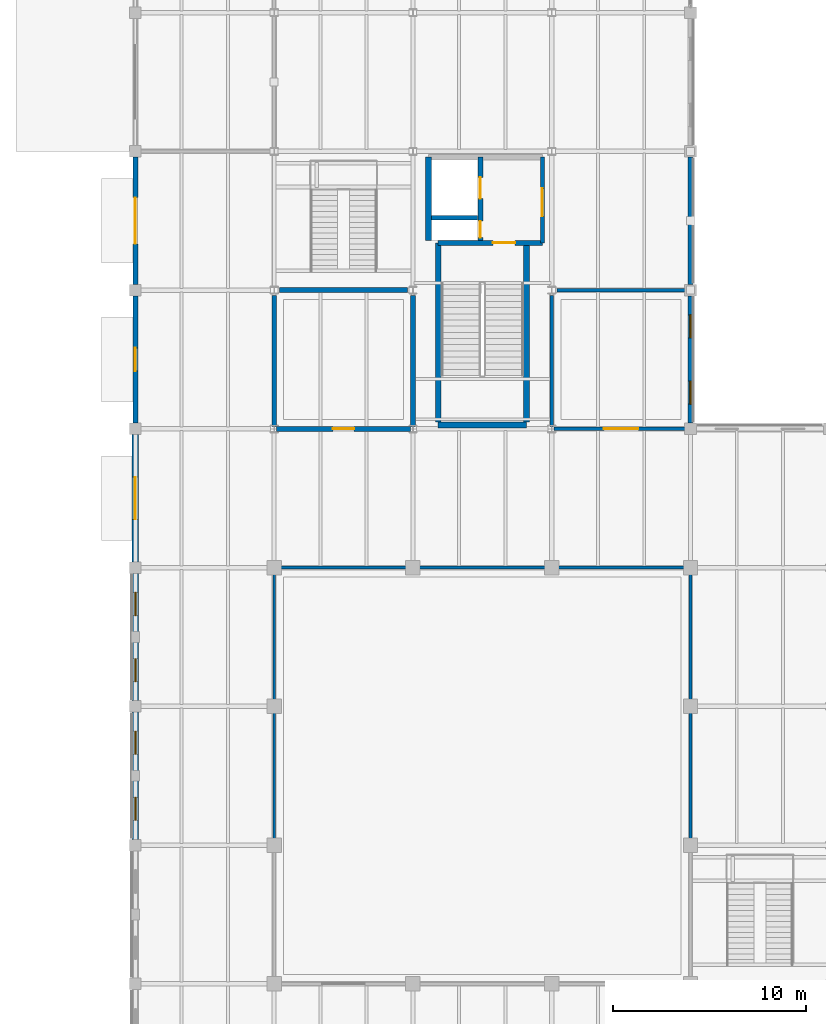
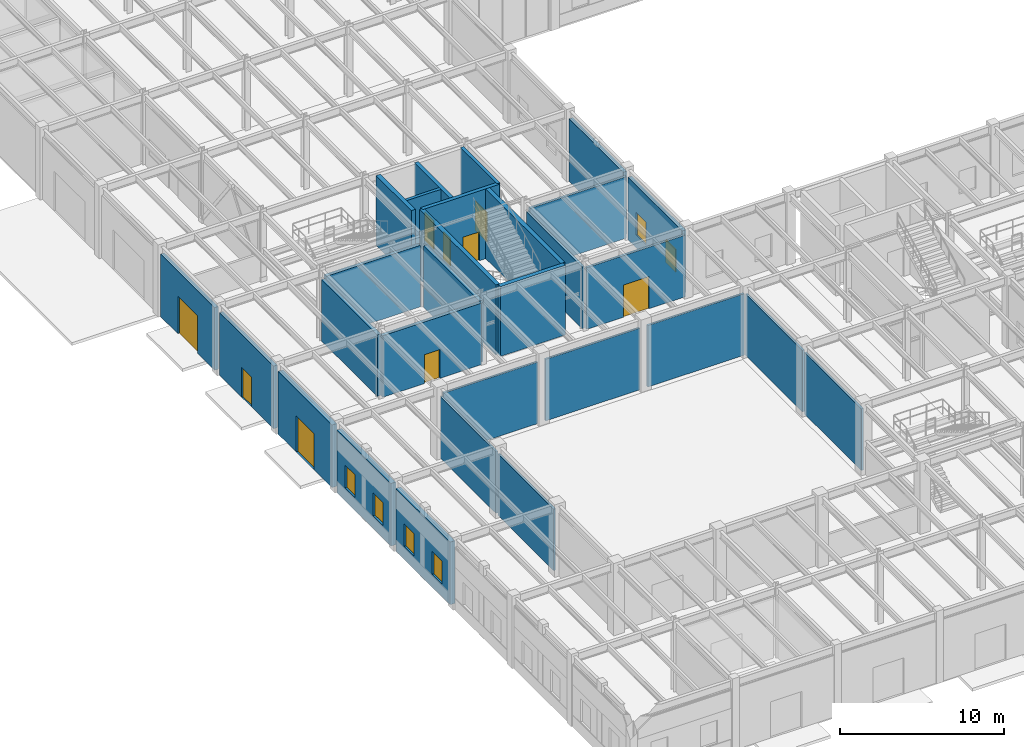
# One storey, part 34 of 97: 29 walls, 9 doors, 6 windows, 15 openings.
"""IFC4 building model written with IfcOpenShell, lengths in metres."""

from ifc_helpers import new_model, si_unit, direction, frame, frame_2d, origin, place, context, subcontext, project, spatial, rectangle, extrude, material, layer, layer_set, type_object, element, fill, save


model = new_model("IFC4")

# Units and contexts
model_context = context("Model", 3, precision=1e-05, world=origin(), true_north=direction((0.0, 1.0)))
body_context = subcontext(model_context, "Body", "Model", "MODEL_VIEW")
ifc_project = project(units=[si_unit("LENGTHUNIT", "METRE"), si_unit("AREAUNIT", "SQUARE_METRE"), si_unit("VOLUMEUNIT", "CUBIC_METRE"), si_unit("PLANEANGLEUNIT", "RADIAN"), si_unit("MASSUNIT", "GRAM", prefix="KILO")], contexts=[model_context])

# Site, building, storey
site_placement = place(None, origin())
site = spatial("IfcSite", under=ifc_project, at=site_placement, CompositionType="ELEMENT")
building_placement = place(site_placement, origin())
building = spatial("IfcBuilding", under=site, at=building_placement, Name="Sillqori Civic Hall", CompositionType="ELEMENT")
storey_placement = place(building_placement, origin())
storey = spatial("IfcBuildingStorey", under=building, at=storey_placement, Name="L01", CompositionType="ELEMENT", Elevation=0.0)

# Wall
ifc_material_1 = material(Name="Concrete C35/45 (H35)", Category="concrete")
ifc_layer_1 = layer(ifc_material_1, 0.219970703125)
ifc_layer_set_1 = layer_set([ifc_layer_1], Name="Concrete C35/45 (H35)")
wall_type_1 = type_object("IfcWallType", Name="CW-SHR-220", PredefinedType="SHEAR", material=ifc_layer_set_1)
wall_1_placement = place(storey_placement, frame((22.550048828125, 61.35009765625, 0.0), z_axis=(0.0, 0.0, 1.0), x_axis=(1.0, 0.0, 0.0)))
element("IfcWall", 1, at=wall_1_placement, inside=storey, type_object=wall_type_1, Name="L01 C4 Lift-riser divider wall", PredefinedType="SHEAR", context=body_context, shape_type="SweptSolid", body=[
    extrude(rectangle(XDim=2.39990234375, YDim=0.219970703125, at=frame_2d((1.199951171875, 0.0))), origin(), (0.0, 0.0, 1.0), 5.199951171875),
])

# Wall, opening, door
wall_2_placement = place(storey_placement, frame((28.320068359375, 64.5, 0.0), z_axis=(0.0, 0.0, 1.0), x_axis=(0.0, -1.0, 0.0)))
wall_2 = element("IfcWall", 2, at=wall_2_placement, inside=storey, type_object=wall_type_1, Name="L01 C4 firefighting lobby enclosure wall", PredefinedType="SHEAR", context=body_context, shape_type="SweptSolid", body=[
    extrude(rectangle(XDim=4.449951171875, YDim=0.219970703125, at=frame_2d((2.22509765625, 0.0))), origin(), (0.0, 0.0, 1.0), 5.199951171875),
])
opening_1_placement = place(wall_2_placement, frame((1.625, 0.0, 0.0)))
opening_1 = element("IfcOpeningElement", 3, at=opening_1_placement, cuts=wall_2, Name="Opening FD-03", PredefinedType="OPENING", context=body_context, shape_type="SweptSolid", body=[
    extrude(rectangle(XDim=1.449951171875, YDim=2.199951171875, at=frame_2d((0.72509765625, 1.10009765625))), frame((0.0, 0.119873046875, 0.0), z_axis=(0.0, -1.0, 0.0), x_axis=(1.0, 0.0, 0.0)), (0.0, 0.0, 1.0), 0.239990234375),
])
ifc_material_2 = material(Name="Double-Leaf Smoke-Seal Lobby Door", Category="steel")
door_type_1 = type_object("IfcDoorType", Name="FDR-LOB-145X220", OperationType="NOTDEFINED", PredefinedType="DOOR", material=ifc_material_2)
door_1_placement = place(opening_1_placement, origin())
door_1 = element("IfcDoor", 4, at=door_1_placement, inside=storey, type_object=door_type_1, Name="L01 C4 firefighting lobby exit door", OperationType="DOUBLE_DOOR_SINGLE_SWING", OverallHeight=2.199951171875, OverallWidth=1.449951171875, PredefinedType="DOOR", context=body_context, shape_type="SweptSolid", body=[
    extrude(rectangle(XDim=1.449951171875, YDim=2.199951171875, at=frame_2d((0.72509765625, 1.10009765625))), frame((0.0, 0.02490234375, 0.0), z_axis=(0.0, -1.0, 0.0), x_axis=(1.0, 0.0, 0.0)), (0.0, 0.0, 1.0), 0.050048828125),
])
fill(opening_1, door_1)

ifc_layer_2 = layer(ifc_material_1, 0.260009765625)
ifc_layer_set_2 = layer_set([ifc_layer_2], Name="Concrete C35/45 (H35)")
wall_type_2 = type_object("IfcWallType", Name="CW-SHR-260", PredefinedType="SHEAR", material=ifc_layer_set_2)
wall_3_placement = place(storey_placement, frame((22.909912109375, 60.050048828125, 0.0), z_axis=(0.0, 0.0, 1.0), x_axis=(1.0, 0.0, 0.0)))
wall_3 = element("IfcWall", 5, at=wall_3_placement, inside=storey, type_object=wall_type_2, Name="L01 C4 Stair-lobby fire wall", PredefinedType="SHEAR", context=body_context, shape_type="SweptSolid", body=[
    extrude(rectangle(XDim=5.41015625, YDim=0.260009765625, at=frame_2d((2.705078125, 0.0))), origin(), (0.0, 0.0, 1.0), 5.199951171875),
])
opening_2_placement = place(wall_3_placement, frame((2.840087890625, 0.0, 0.0)))
opening_2 = element("IfcOpeningElement", 6, at=opening_2_placement, cuts=wall_3, Name="Opening FD-01", PredefinedType="OPENING", context=body_context, shape_type="SweptSolid", body=[
    extrude(rectangle(XDim=1.14990234375, YDim=2.14990234375, at=frame_2d((0.574951171875, 1.074951171875))), frame((0.0, 0.139892578125, 0.0), z_axis=(0.0, -1.0, 0.0), x_axis=(1.0, 0.0, 0.0)), (0.0, 0.0, 1.0), 0.280029296875),
])
ifc_material_3 = material(Name="Galvanized Steel Fire Door FD90S", Category="steel")
door_type_2 = type_object("IfcDoorType", Name="FDR-STR-115X215", OperationType="NOTDEFINED", PredefinedType="DOOR", material=ifc_material_3)
door_2_placement = place(opening_2_placement, origin())
door_2 = element("IfcDoor", 7, at=door_2_placement, inside=storey, type_object=door_type_2, Name="L01 stair ST-04 fire door", OperationType="SINGLE_SWING_RIGHT", OverallHeight=2.14990234375, OverallWidth=1.14990234375, PredefinedType="DOOR", context=body_context, shape_type="SweptSolid", body=[
    extrude(rectangle(XDim=1.14990234375, YDim=2.14990234375, at=frame_2d((0.574951171875, 1.074951171875))), frame((0.0, 0.02490234375, 0.0), z_axis=(0.0, -1.0, 0.0), x_axis=(1.0, 0.0, 0.0)), (0.0, 0.0, 1.0), 0.050048828125),
])
fill(opening_2, door_2)

# Wall, openings, doors
wall_4_placement = place(storey_placement, frame((25.10009765625, 64.5, 0.0), z_axis=(0.0, 0.0, 1.0), x_axis=(0.0, -1.0, 0.0)))
wall_4 = element("IfcWall", 8, at=wall_4_placement, inside=storey, type_object=wall_type_2, Name="L01 C4 Lift landing & riser front wall", PredefinedType="SHEAR", context=body_context, shape_type="SweptSolid", body=[
    extrude(rectangle(XDim=4.320068359375, YDim=0.260009765625, at=frame_2d((2.16015625, 0.0))), origin(), (0.0, 0.0, 1.0), 5.199951171875),
])
opening_3_placement = place(wall_4_placement, frame((1.050048828125, 0.0, 0.0)))
opening_3 = element("IfcOpeningElement", 9, at=opening_3_placement, cuts=wall_4, Name="Opening LD-01", PredefinedType="OPENING", context=body_context, shape_type="SweptSolid", body=[
    extrude(rectangle(XDim=1.10009765625, YDim=2.14990234375, at=frame_2d((0.550048828125, 1.074951171875))), frame((0.0, 0.139892578125, 0.0), z_axis=(0.0, -1.0, 0.0), x_axis=(1.0, 0.0, 0.0)), (0.0, 0.0, 1.0), 0.280029296875),
])
opening_4_placement = place(wall_4_placement, frame((3.324951171875, 0.0, 0.0)))
opening_4 = element("IfcOpeningElement", 10, at=opening_4_placement, cuts=wall_4, Name="Opening FD-05", PredefinedType="OPENING", context=body_context, shape_type="SweptSolid", body=[
    extrude(rectangle(XDim=0.85009765625, YDim=2.050048828125, at=frame_2d((0.425048828125, 1.02490234375))), frame((0.0, 0.139892578125, 0.0), z_axis=(0.0, -1.0, 0.0), x_axis=(1.0, 0.0, 0.0)), (0.0, 0.0, 1.0), 0.280029296875),
])
ifc_material_4 = material(Name="Steel Riser Access Fire Door", Category="steel")
door_type_3 = type_object("IfcDoorType", Name="FDR-RSR-085X205", OperationType="NOTDEFINED", PredefinedType="DOOR", material=ifc_material_4)
door_3_placement = place(opening_4_placement, origin())
door_3 = element("IfcDoor", 11, at=door_3_placement, inside=storey, type_object=door_type_3, Name="L01 MEP riser C4 fire access door", OperationType="SINGLE_SWING_LEFT", OverallHeight=2.050048828125, OverallWidth=0.85009765625, PredefinedType="DOOR", context=body_context, shape_type="SweptSolid", body=[
    extrude(rectangle(XDim=0.85009765625, YDim=2.050048828125, at=frame_2d((0.425048828125, 1.02490234375))), frame((0.0, 0.02490234375, 0.0), z_axis=(0.0, -1.0, 0.0), x_axis=(1.0, 0.0, 0.0)), (0.0, 0.0, 1.0), 0.050048828125),
])
fill(opening_4, door_3)
ifc_material_5 = material(Name="Stainless Steel Lift Landing Door", Category="steel")
door_type_4 = type_object("IfcDoorType", Name="LDR-PASS-110X215", OperationType="NOTDEFINED", PredefinedType="DOOR", material=ifc_material_5)
door_4_placement = place(opening_3_placement, origin())
door_4 = element("IfcDoor", 12, at=door_4_placement, inside=storey, type_object=door_type_4, Name="L01 lift LF-06 sliding landing door", OperationType="DOUBLE_DOOR_SLIDING", OverallHeight=2.14990234375, OverallWidth=1.10009765625, PredefinedType="DOOR", context=body_context, shape_type="SweptSolid", body=[
    extrude(rectangle(XDim=1.10009765625, YDim=2.14990234375, at=frame_2d((0.550048828125, 1.074951171875))), frame((0.0, 0.02490234375, 0.0), z_axis=(0.0, -1.0, 0.0), x_axis=(1.0, 0.0, 0.0)), (0.0, 0.0, 1.0), 0.050048828125),
])
fill(opening_3, door_4)

# Walls
ifc_layer_3 = layer(ifc_material_1, 0.300048828125)
ifc_layer_set_3 = layer_set([ifc_layer_3], Name="Concrete C35/45 (H35)")
wall_type_3 = type_object("IfcWallType", Name="CW-SHR-300", PredefinedType="SHEAR", material=ifc_layer_set_3)
wall_5_placement = place(storey_placement, frame((22.909912109375, 50.60009765625, 0.0), z_axis=(0.0, 0.0, 1.0), x_axis=(1.0, 0.0, 0.0)))
element("IfcWall", 13, at=wall_5_placement, inside=storey, type_object=wall_type_3, Name="L01 C4 Stair south shear wall", PredefinedType="SHEAR", context=body_context, shape_type="SweptSolid", body=[
    extrude(rectangle(XDim=4.580078125, YDim=0.300048828125, at=frame_2d((2.2900390625, 0.0))), origin(), (0.0, 0.0, 1.0), 5.199951171875),
])
for number, where, z_axis, x_axis, name in (
    (14, (22.909912109375, 50.75, 0.0), (0.0, 0.0, 1.0), (0.0, 1.0, 0.0), "L01 C4 Stair west shear wall"),
    (15, (27.489990234375, 50.75, 0.0), (0.0, 0.0, 1.0), (0.0, 1.0, 0.0), "L01 C4 Stair east shear wall"),
):
    element("IfcWall", number, at=place(storey_placement, frame(where, z_axis=z_axis, x_axis=x_axis)), inside=storey, type_object=wall_type_3, Name=name, PredefinedType="SHEAR", context=body_context, shape_type="SweptSolid", body=[
        extrude(rectangle(XDim=9.300048828125, YDim=0.300048828125, at=frame_2d((4.64990234375, 0.0))), origin(), (0.0, 0.0, 1.0), 5.199951171875),
    ])
wall_6_placement = place(storey_placement, frame((22.39990234375, 60.179931640625, 0.0), z_axis=(0.0, 0.0, 1.0), x_axis=(0.0, 1.0, 0.0)))
element("IfcWall", 16, at=wall_6_placement, inside=storey, type_object=wall_type_3, Name="L01 C4 Lift shaft west shear wall", PredefinedType="SHEAR", context=body_context, shape_type="SweptSolid", body=[
    extrude(rectangle(XDim=4.320068359375, YDim=0.300048828125, at=frame_2d((2.16015625, 0.0))), origin(), (0.0, 0.0, 1.0), 5.199951171875),
])

# Wall, openings, windows
ifc_material_6 = material(Name="Precast concrete C40/50 (H40)", Category="concrete")
ifc_layer_4 = layer(ifc_material_6, 0.340087890625)
ifc_layer_set_4 = layer_set([ifc_layer_4], Name="Precast concrete C40/50 (H40)")
wall_type_4 = type_object("IfcWallType", Name="EW-ARC-340", PredefinedType="SOLIDWALL", material=ifc_layer_set_4)
wall_7_placement = place(storey_placement, frame((7.199951171875, 29.10009765625, 0.0), z_axis=(0.0, 0.0, 1.0), x_axis=(0.0, 1.0, 0.0)))
wall_7 = element("IfcWall", 17, at=wall_7_placement, inside=storey, type_object=wall_type_4, Name="L01 V1 exterior wall L01-01-04-W", PredefinedType="SOLIDWALL", context=body_context, shape_type="SweptSolid", body=[
    extrude(rectangle(XDim=6.599853515625, YDim=0.340087890625, at=frame_2d((3.2998046875, 0.0))), origin(), (0.0, 0.0, 1.0), 4.6669921875),
])
opening_5_placement = place(wall_7_placement, frame((0.98388671875, 0.0, 0.949951171875)))
opening_5 = element("IfcOpeningElement", 18, at=opening_5_placement, cuts=wall_7, Name="Opening W-22", PredefinedType="OPENING", context=body_context, shape_type="SweptSolid", body=[
    extrude(rectangle(XDim=1.199951171875, YDim=1.699951171875, at=frame_2d((0.60009765625, 0.85009765625))), frame((0.0, 0.179931640625, 0.0), z_axis=(0.0, -1.0, 0.0), x_axis=(1.0, 0.0, 0.0)), (0.0, 0.0, 1.0), 0.360107421875),
])
opening_6_placement = place(wall_7_placement, frame((4.416015625, 0.0, 0.949951171875)))
opening_6 = element("IfcOpeningElement", 19, at=opening_6_placement, cuts=wall_7, Name="Opening W-22", PredefinedType="OPENING", context=body_context, shape_type="SweptSolid", body=[
    extrude(rectangle(XDim=1.199951171875, YDim=1.699951171875, at=frame_2d((0.60009765625, 0.85009765625))), frame((0.0, 0.179931640625, 0.0), z_axis=(0.0, -1.0, 0.0), x_axis=(1.0, 0.0, 0.0)), (0.0, 0.0, 1.0), 0.360107421875),
])
ifc_material_7 = material(Name="Thermally Broken Aluminium Low-E Window", Category="aluminium")
window_type = type_object("IfcWindowType", Name="WIN-V5-120X170", PartitioningType="SINGLE_PANEL", PredefinedType="WINDOW", material=ifc_material_7)
window_1_placement = place(opening_5_placement, origin())
window_1 = element("IfcWindow", 20, at=window_1_placement, inside=storey, type_object=window_type, Name="L01 V1 window L01-01-04-W.1", OverallHeight=1.699951171875, OverallWidth=1.199951171875, PartitioningType="SINGLE_PANEL", PredefinedType="WINDOW", context=body_context, shape_type="SweptSolid", body=[
    extrude(rectangle(XDim=1.199951171875, YDim=1.699951171875, at=frame_2d((0.60009765625, 0.85009765625))), frame((0.0, 0.030029296875, 0.0), z_axis=(0.0, -1.0, 0.0), x_axis=(1.0, 0.0, 0.0)), (0.0, 0.0, 1.0), 0.06005859375),
])
fill(opening_5, window_1)
window_2_placement = place(opening_6_placement, origin())
window_2 = element("IfcWindow", 21, at=window_2_placement, inside=storey, type_object=window_type, Name="L01 V1 window L01-01-04-W.2", OverallHeight=1.699951171875, OverallWidth=1.199951171875, PartitioningType="SINGLE_PANEL", PredefinedType="WINDOW", context=body_context, shape_type="SweptSolid", body=[
    extrude(rectangle(XDim=1.199951171875, YDim=1.699951171875, at=frame_2d((0.60009765625, 0.85009765625))), frame((0.0, 0.030029296875, 0.0), z_axis=(0.0, -1.0, 0.0), x_axis=(1.0, 0.0, 0.0)), (0.0, 0.0, 1.0), 0.06005859375),
])
fill(opening_6, window_2)

wall_8_placement = place(storey_placement, frame((7.199951171875, 36.300048828125, 0.0), z_axis=(0.0, 0.0, 1.0), x_axis=(0.0, 1.0, 0.0)))
wall_8 = element("IfcWall", 22, at=wall_8_placement, inside=storey, type_object=wall_type_4, Name="L01 V1 exterior wall L01-01-05-W", PredefinedType="SOLIDWALL", context=body_context, shape_type="SweptSolid", body=[
    extrude(rectangle(XDim=6.599853515625, YDim=0.340087890625, at=frame_2d((3.2998046875, 0.0))), origin(), (0.0, 0.0, 1.0), 4.6669921875),
])
opening_7_placement = place(wall_8_placement, frame((0.98388671875, 0.0, 0.949951171875)))
opening_7 = element("IfcOpeningElement", 23, at=opening_7_placement, cuts=wall_8, Name="Opening W-22", PredefinedType="OPENING", context=body_context, shape_type="SweptSolid", body=[
    extrude(rectangle(XDim=1.199951171875, YDim=1.699951171875, at=frame_2d((0.60009765625, 0.85009765625))), frame((0.0, 0.179931640625, 0.0), z_axis=(0.0, -1.0, 0.0), x_axis=(1.0, 0.0, 0.0)), (0.0, 0.0, 1.0), 0.360107421875),
])
opening_8_placement = place(wall_8_placement, frame((4.416015625, 0.0, 0.949951171875)))
opening_8 = element("IfcOpeningElement", 24, at=opening_8_placement, cuts=wall_8, Name="Opening W-22", PredefinedType="OPENING", context=body_context, shape_type="SweptSolid", body=[
    extrude(rectangle(XDim=1.199951171875, YDim=1.699951171875, at=frame_2d((0.60009765625, 0.85009765625))), frame((0.0, 0.179931640625, 0.0), z_axis=(0.0, -1.0, 0.0), x_axis=(1.0, 0.0, 0.0)), (0.0, 0.0, 1.0), 0.360107421875),
])
window_3_placement = place(opening_7_placement, origin())
window_3 = element("IfcWindow", 25, at=window_3_placement, inside=storey, type_object=window_type, Name="L01 V1 window L01-01-05-W.1", OverallHeight=1.699951171875, OverallWidth=1.199951171875, PartitioningType="SINGLE_PANEL", PredefinedType="WINDOW", context=body_context, shape_type="SweptSolid", body=[
    extrude(rectangle(XDim=1.199951171875, YDim=1.699951171875, at=frame_2d((0.60009765625, 0.85009765625))), frame((0.0, 0.030029296875, 0.0), z_axis=(0.0, -1.0, 0.0), x_axis=(1.0, 0.0, 0.0)), (0.0, 0.0, 1.0), 0.06005859375),
])
fill(opening_7, window_3)
window_4_placement = place(opening_8_placement, origin())
window_4 = element("IfcWindow", 26, at=window_4_placement, inside=storey, type_object=window_type, Name="L01 V1 window L01-01-05-W.2", OverallHeight=1.699951171875, OverallWidth=1.199951171875, PartitioningType="SINGLE_PANEL", PredefinedType="WINDOW", context=body_context, shape_type="SweptSolid", body=[
    extrude(rectangle(XDim=1.199951171875, YDim=1.699951171875, at=frame_2d((0.60009765625, 0.85009765625))), frame((0.0, 0.030029296875, 0.0), z_axis=(0.0, -1.0, 0.0), x_axis=(1.0, 0.0, 0.0)), (0.0, 0.0, 1.0), 0.06005859375),
])
fill(opening_8, window_4)

# Wall, opening, door
wall_9_placement = place(storey_placement, frame((7.199951171875, 43.5, 0.0), z_axis=(0.0, 0.0, 1.0), x_axis=(0.0, 1.0, 0.0)))
wall_9 = element("IfcWall", 27, at=wall_9_placement, inside=storey, type_object=wall_type_4, Name="L01 V1 exterior wall L01-01-06-W", PredefinedType="SOLIDWALL", context=body_context, shape_type="SweptSolid", body=[
    extrude(rectangle(XDim=6.60009765625, YDim=0.340087890625, at=frame_2d((3.300048828125, 0.0))), origin(), (0.0, 0.0, 1.0), 4.6669921875),
])
opening_9_placement = place(wall_9_placement, frame((2.199951171875, 0.0, 0.0)))
opening_9 = element("IfcOpeningElement", 28, at=opening_9_placement, cuts=wall_9, Name="Opening ED-02", PredefinedType="OPENING", context=body_context, shape_type="SweptSolid", body=[
    extrude(rectangle(XDim=2.199951171875, YDim=2.699951171875, at=frame_2d((1.10009765625, 1.35009765625))), frame((0.0, 0.179931640625, 0.0), z_axis=(0.0, -1.0, 0.0), x_axis=(1.0, 0.0, 0.0)), (0.0, 0.0, 1.0), 0.360107421875),
])
ifc_material_8 = material(Name="Thermally Broken Anodized Aluminium and Laminated Glass", Category="aluminium")
door_type_5 = type_object("IfcDoorType", Name="EDR-FOYR-220X270", OperationType="NOTDEFINED", PredefinedType="DOOR", material=ifc_material_8)
door_5_placement = place(opening_9_placement, origin())
door_5 = element("IfcDoor", 29, at=door_5_placement, inside=storey, type_object=door_type_5, Name="Council West Avenue Exit", OperationType="DOUBLE_DOOR_SINGLE_SWING", OverallHeight=2.699951171875, OverallWidth=2.199951171875, PredefinedType="DOOR", context=body_context, shape_type="SweptSolid", body=[
    extrude(rectangle(XDim=2.199951171875, YDim=2.699951171875, at=frame_2d((1.10009765625, 1.35009765625))), frame((0.0, 0.02490234375, 0.0), z_axis=(0.0, -1.0, 0.0), x_axis=(1.0, 0.0, 0.0)), (0.0, 0.0, 1.0), 0.050048828125),
])
fill(opening_9, door_5)

ifc_material_9 = material(Name="Concrete C30/37 (H30)", Category="concrete")
ifc_layer_5 = layer(ifc_material_9, 0.260009765625)
ifc_layer_set_5 = layer_set([ifc_layer_5], Name="Concrete C30/37 (H30)")
wall_type_5 = type_object("IfcWallType", Name="EW-MAS-260", PredefinedType="SOLIDWALL", material=ifc_layer_set_5)
wall_10_placement = place(storey_placement, frame((7.199951171875, 50.699951171875, 0.0), z_axis=(0.0, 0.0, 1.0), x_axis=(0.0, 1.0, 0.0)))
wall_10 = element("IfcWall", 30, at=wall_10_placement, inside=storey, type_object=wall_type_5, Name="L01 V5 exterior wall L01-01-07-W", PredefinedType="SOLIDWALL", context=body_context, shape_type="SweptSolid", body=[
    extrude(rectangle(XDim=6.60009765625, YDim=0.260009765625, at=frame_2d((3.300048828125, 0.0))), origin(), (0.0, 0.0, 1.0), 4.6669921875),
])
opening_10_placement = place(wall_10_placement, frame((2.699951171875, 0.0, 0.0)))
opening_10 = element("IfcOpeningElement", 31, at=opening_10_placement, cuts=wall_10, Name="Opening ED-08", PredefinedType="OPENING", context=body_context, shape_type="SweptSolid", body=[
    extrude(rectangle(XDim=1.199951171875, YDim=2.199951171875, at=frame_2d((0.60009765625, 1.10009765625))), frame((0.0, 0.139892578125, 0.0), z_axis=(0.0, -1.0, 0.0), x_axis=(1.0, 0.0, 0.0)), (0.0, 0.0, 1.0), 0.280029296875),
])
door_type_6 = type_object("IfcDoorType", Name="EDR-SERV-120X220", OperationType="NOTDEFINED", PredefinedType="DOOR", material=ifc_material_8)
door_6_placement = place(opening_10_placement, origin())
door_6 = element("IfcDoor", 32, at=door_6_placement, inside=storey, type_object=door_type_6, Name="West Directorate Service Exit", OperationType="SINGLE_SWING_LEFT", OverallHeight=2.199951171875, OverallWidth=1.199951171875, PredefinedType="DOOR", context=body_context, shape_type="SweptSolid", body=[
    extrude(rectangle(XDim=1.199951171875, YDim=2.199951171875, at=frame_2d((0.60009765625, 1.10009765625))), frame((0.0, 0.02490234375, 0.0), z_axis=(0.0, -1.0, 0.0), x_axis=(1.0, 0.0, 0.0)), (0.0, 0.0, 1.0), 0.050048828125),
])
fill(opening_10, door_6)

wall_11_placement = place(storey_placement, frame((7.199951171875, 57.89990234375, 0.0), z_axis=(0.0, 0.0, 1.0), x_axis=(0.0, 1.0, 0.0)))
wall_11 = element("IfcWall", 33, at=wall_11_placement, inside=storey, type_object=wall_type_5, Name="L01 V5 exterior wall L01-01-08-W", PredefinedType="SOLIDWALL", context=body_context, shape_type="SweptSolid", body=[
    extrude(rectangle(XDim=6.60009765625, YDim=0.260009765625, at=frame_2d((3.300048828125, 0.0))), origin(), (0.0, 0.0, 1.0), 4.6669921875),
])
opening_11_placement = place(wall_11_placement, frame((2.10009765625, 0.0, 0.0)))
opening_11 = element("IfcOpeningElement", 34, at=opening_11_placement, cuts=wall_11, Name="Opening ED-01", PredefinedType="OPENING", context=body_context, shape_type="SweptSolid", body=[
    extrude(rectangle(XDim=2.39990234375, YDim=2.800048828125, at=frame_2d((1.199951171875, 1.39990234375))), frame((0.0, 0.139892578125, 0.0), z_axis=(0.0, -1.0, 0.0), x_axis=(1.0, 0.0, 0.0)), (0.0, 0.0, 1.0), 0.280029296875),
])
door_type_7 = type_object("IfcDoorType", Name="EDR-MAIN-240X280", OperationType="NOTDEFINED", PredefinedType="DOOR", material=ifc_material_8)
door_7_placement = place(opening_11_placement, origin())
door_7 = element("IfcDoor", 35, at=door_7_placement, inside=storey, type_object=door_type_7, Name="Committee Wing West Street Portal", OperationType="DOUBLE_DOOR_SINGLE_SWING", OverallHeight=2.800048828125, OverallWidth=2.39990234375, PredefinedType="DOOR", context=body_context, shape_type="SweptSolid", body=[
    extrude(rectangle(XDim=2.39990234375, YDim=2.800048828125, at=frame_2d((1.199951171875, 1.39990234375))), frame((0.0, 0.02490234375, 0.0), z_axis=(0.0, -1.0, 0.0), x_axis=(1.0, 0.0, 0.0)), (0.0, 0.0, 1.0), 0.050048828125),
])
fill(opening_11, door_7)

# Wall, openings, windows
wall_12_placement = place(storey_placement, frame((36.0, 57.300048828125, 0.0), z_axis=(0.0, 0.0, 1.0), x_axis=(0.0, -1.0, 0.0)))
wall_12 = element("IfcWall", 36, at=wall_12_placement, inside=storey, type_object=wall_type_5, Name="L01 V5 exterior wall L01-04-07-E", PredefinedType="SOLIDWALL", context=body_context, shape_type="SweptSolid", body=[
    extrude(rectangle(XDim=6.60009765625, YDim=0.260009765625, at=frame_2d((3.300048828125, 0.0))), origin(), (0.0, 0.0, 1.0), 4.6669921875),
])
opening_12_placement = place(wall_12_placement, frame((0.98388671875, 0.0, 0.949951171875)))
opening_12 = element("IfcOpeningElement", 37, at=opening_12_placement, cuts=wall_12, Name="Opening W-22", PredefinedType="OPENING", context=body_context, shape_type="SweptSolid", body=[
    extrude(rectangle(XDim=1.199951171875, YDim=1.699951171875, at=frame_2d((0.60009765625, 0.85009765625))), frame((0.0, 0.139892578125, 0.0), z_axis=(0.0, -1.0, 0.0), x_axis=(1.0, 0.0, 0.0)), (0.0, 0.0, 1.0), 0.280029296875),
])
opening_13_placement = place(wall_12_placement, frame((4.416015625, 0.0, 0.949951171875)))
opening_13 = element("IfcOpeningElement", 38, at=opening_13_placement, cuts=wall_12, Name="Opening W-22", PredefinedType="OPENING", context=body_context, shape_type="SweptSolid", body=[
    extrude(rectangle(XDim=1.199951171875, YDim=1.699951171875, at=frame_2d((0.60009765625, 0.85009765625))), frame((0.0, 0.139892578125, 0.0), z_axis=(0.0, -1.0, 0.0), x_axis=(1.0, 0.0, 0.0)), (0.0, 0.0, 1.0), 0.280029296875),
])
window_5_placement = place(opening_12_placement, origin())
window_5 = element("IfcWindow", 39, at=window_5_placement, inside=storey, type_object=window_type, Name="L01 V5 window L01-04-07-E.1", OverallHeight=1.699951171875, OverallWidth=1.199951171875, PartitioningType="SINGLE_PANEL", PredefinedType="WINDOW", context=body_context, shape_type="SweptSolid", body=[
    extrude(rectangle(XDim=1.199951171875, YDim=1.699951171875, at=frame_2d((0.60009765625, 0.85009765625))), frame((0.0, 0.030029296875, 0.0), z_axis=(0.0, -1.0, 0.0), x_axis=(1.0, 0.0, 0.0)), (0.0, 0.0, 1.0), 0.06005859375),
])
fill(opening_12, window_5)
window_6_placement = place(opening_13_placement, origin())
window_6 = element("IfcWindow", 40, at=window_6_placement, inside=storey, type_object=window_type, Name="L01 V5 window L01-04-07-E.2", OverallHeight=1.699951171875, OverallWidth=1.199951171875, PartitioningType="SINGLE_PANEL", PredefinedType="WINDOW", context=body_context, shape_type="SweptSolid", body=[
    extrude(rectangle(XDim=1.199951171875, YDim=1.699951171875, at=frame_2d((0.60009765625, 0.85009765625))), frame((0.0, 0.030029296875, 0.0), z_axis=(0.0, -1.0, 0.0), x_axis=(1.0, 0.0, 0.0)), (0.0, 0.0, 1.0), 0.06005859375),
])
fill(opening_13, window_6)

# Walls
wall_13_placement = place(storey_placement, frame((36.0, 64.5, 0.0), z_axis=(0.0, 0.0, 1.0), x_axis=(0.0, -1.0, 0.0)))
element("IfcWall", 41, at=wall_13_placement, inside=storey, type_object=wall_type_5, Name="L01 V5 exterior wall L01-04-08-E", PredefinedType="SOLIDWALL", context=body_context, shape_type="SweptSolid", body=[
    extrude(rectangle(XDim=6.60009765625, YDim=0.260009765625, at=frame_2d((3.300048828125, 0.0))), origin(), (0.0, 0.0, 1.0), 4.6669921875),
])
ifc_material_10 = material(Name="Corridor Rated Partition 146", Category="gypsum")
ifc_layer_6 = layer(ifc_material_10, 0.14599609375)
ifc_layer_set_6 = layer_set([ifc_layer_6], Name="Corridor Rated Partition 146")
wall_type_6 = type_object("IfcWallType", Name="PT-GYP-146", PredefinedType="PARTITIONING", material=ifc_layer_set_6)
for number, where, z_axis, x_axis, name in (
    (42, (14.679931640625, 43.199951171875, 0.0), (0.0, 0.0, 1.0), (1.0, 0.0, 0.0), "Council Chamber Dais and Plenary Hall partition N4"),
    (43, (21.8798828125, 43.199951171875, 0.0), (0.0, 0.0, 1.0), (1.0, 0.0, 0.0), "Council Chamber Dais and Plenary Hall partition N5"),
):
    element("IfcWall", number, at=place(storey_placement, frame(where, z_axis=z_axis, x_axis=x_axis)), inside=storey, type_object=wall_type_6, Name=name, PredefinedType="PARTITIONING", context=body_context, shape_type="SweptSolid", body=[
        extrude(rectangle(XDim=6.64013671875, YDim=0.14599609375, at=frame_2d((3.320068359375, 0.0))), origin(), (0.0, 0.0, 1.0), 4.587890625),
    ])
for number, where, z_axis, x_axis, name in (
    (44, (29.080078125, 43.199951171875, 0.0), (0.0, 0.0, 1.0), (1.0, 0.0, 0.0), "Council Chamber Dais and Plenary Hall partition N6"),
    (45, (14.39990234375, 29.080078125, 0.0), (0.0, 0.0, 1.0), (0.0, 1.0, 0.0), "Council Chamber Dais and Plenary Hall partition W9"),
):
    element("IfcWall", number, at=place(storey_placement, frame(where, z_axis=z_axis, x_axis=x_axis)), inside=storey, type_object=wall_type_6, Name=name, PredefinedType="PARTITIONING", context=body_context, shape_type="SweptSolid", body=[
        extrude(rectangle(XDim=6.7998046875, YDim=0.14599609375, at=frame_2d((3.39990234375, 0.0))), origin(), (0.0, 0.0, 1.0), 4.587890625),
    ])
wall_14_placement = place(storey_placement, frame((36.0, 35.8798828125, 0.0), z_axis=(0.0, 0.0, 1.0), x_axis=(0.0, -1.0, 0.0)))
element("IfcWall", 46, at=wall_14_placement, inside=storey, type_object=wall_type_6, Name="Council Chamber Dais and Plenary Hall partition E10", PredefinedType="PARTITIONING", context=body_context, shape_type="SweptSolid", body=[
    extrude(rectangle(XDim=6.9599609375, YDim=0.14599609375, at=frame_2d((3.47998046875, 0.0))), origin(), (0.0, 0.0, 1.0), 4.587890625),
])
wall_15_placement = place(storey_placement, frame((14.39990234375, 36.1201171875, 0.0), z_axis=(0.0, 0.0, 1.0), x_axis=(0.0, 1.0, 0.0)))
element("IfcWall", 47, at=wall_15_placement, inside=storey, type_object=wall_type_6, Name="Council Chamber Dais and Plenary Hall partition W11", PredefinedType="PARTITIONING", context=body_context, shape_type="SweptSolid", body=[
    extrude(rectangle(XDim=6.7998046875, YDim=0.14599609375, at=frame_2d((3.39990234375, 0.0))), origin(), (0.0, 0.0, 1.0), 4.587890625),
])
wall_16_placement = place(storey_placement, frame((36.0, 43.080078125, 0.0), z_axis=(0.0, 0.0, 1.0), x_axis=(0.0, -1.0, 0.0)))
element("IfcWall", 48, at=wall_16_placement, inside=storey, type_object=wall_type_6, Name="Council Chamber Dais and Plenary Hall partition E12", PredefinedType="PARTITIONING", context=body_context, shape_type="SweptSolid", body=[
    extrude(rectangle(XDim=6.9599609375, YDim=0.14599609375, at=frame_2d((3.47998046875, 0.0))), origin(), (0.0, 0.0, 1.0), 4.587890625),
])

# Wall, opening, door
ifc_material_11 = material(Name="Concrete C25/30 (H25)", Category="concrete")
ifc_layer_7 = layer(ifc_material_11, 0.175048828125)
ifc_layer_set_7 = layer_set([ifc_layer_7], Name="Concrete C25/30 (H25)")
wall_type_7 = type_object("IfcWallType", Name="PT-MAS-175", PredefinedType="PARTITIONING", material=ifc_layer_set_7)
wall_17_placement = place(storey_placement, frame((35.8798828125, 50.39990234375, 0.0), z_axis=(0.0, 0.0, 1.0), x_axis=(-1.0, 0.0, 0.0)))
wall_17 = element("IfcWall", 49, at=wall_17_placement, inside=storey, type_object=wall_type_7, Name="Public Hearing Room Tunari partition S1", PredefinedType="PARTITIONING", context=body_context, shape_type="SweptSolid", body=[
    extrude(rectangle(XDim=6.9599609375, YDim=0.175048828125, at=frame_2d((3.47998046875, 0.0))), origin(), (0.0, 0.0, 1.0), 4.587890625),
])
opening_14_placement = place(wall_17_placement, frame((2.580078125, 0.0, 0.0)))
opening_14 = element("IfcOpeningElement", 50, at=opening_14_placement, cuts=wall_17, Name="Opening ID-03", PredefinedType="OPENING", context=body_context, shape_type="SweptSolid", body=[
    extrude(rectangle(XDim=1.800048828125, YDim=2.39990234375, at=frame_2d((0.89990234375, 1.199951171875))), frame((0.0, 0.097412109375, 0.0), z_axis=(0.0, -1.0, 0.0), x_axis=(1.0, 0.0, 0.0)), (0.0, 0.0, 1.0), 0.195068359375),
])
ifc_material_12 = material(Name="Committee Hearing Double Door", Category="timber")
door_type_8 = type_object("IfcDoorType", Name="IDR-COM-180X240", OperationType="NOTDEFINED", PredefinedType="DOOR", material=ifc_material_12)
door_8_placement = place(opening_14_placement, origin())
door_8 = element("IfcDoor", 51, at=door_8_placement, inside=storey, type_object=door_type_8, Name="Public Hearing Room Tunari entrance door", OperationType="DOUBLE_DOOR_SINGLE_SWING", OverallHeight=2.39990234375, OverallWidth=1.800048828125, PredefinedType="DOOR", context=body_context, shape_type="SweptSolid", body=[
    extrude(rectangle(XDim=1.800048828125, YDim=2.39990234375, at=frame_2d((0.89990234375, 1.199951171875))), frame((0.0, 0.02490234375, 0.0), z_axis=(0.0, -1.0, 0.0), x_axis=(1.0, 0.0, 0.0)), (0.0, 0.0, 1.0), 0.050048828125),
])
fill(opening_14, door_8)

# Walls
wall_18_placement = place(storey_placement, frame((29.080078125, 57.60009765625, 0.0), z_axis=(0.0, 0.0, 1.0), x_axis=(1.0, 0.0, 0.0)))
element("IfcWall", 52, at=wall_18_placement, inside=storey, type_object=wall_type_7, Name="Public Hearing Room Tunari partition N2", PredefinedType="PARTITIONING", context=body_context, shape_type="SweptSolid", body=[
    extrude(rectangle(XDim=6.7998046875, YDim=0.175048828125, at=frame_2d((3.39990234375, 0.0))), origin(), (0.0, 0.0, 1.0), 4.587890625),
])
wall_19_placement = place(storey_placement, frame((28.800048828125, 50.52001953125, 0.0), z_axis=(0.0, 0.0, 1.0), x_axis=(0.0, 1.0, 0.0)))
element("IfcWall", 53, at=wall_19_placement, inside=storey, type_object=wall_type_7, Name="Public Hearing Room Tunari partition W3", PredefinedType="PARTITIONING", context=body_context, shape_type="SweptSolid", body=[
    extrude(rectangle(XDim=6.800048828125, YDim=0.175048828125, at=frame_2d((3.39990234375, 0.0))), origin(), (0.0, 0.0, 1.0), 4.587890625),
])

# Wall, opening, door
ifc_layer_8 = layer(ifc_material_11, 0.25)
ifc_layer_set_8 = layer_set([ifc_layer_8], Name="Concrete C25/30 (H25)")
wall_type_8 = type_object("IfcWallType", Name="PT-PLT-250", PredefinedType="PARTITIONING", material=ifc_layer_set_8)
wall_20_placement = place(storey_placement, frame((21.47998046875, 50.39990234375, 0.0), z_axis=(0.0, 0.0, 1.0), x_axis=(-1.0, 0.0, 0.0)))
wall_20 = element("IfcWall", 54, at=wall_20_placement, inside=storey, type_object=wall_type_8, Name="Fire Command Room partition S1", PredefinedType="PARTITIONING", context=body_context, shape_type="SweptSolid", body=[
    extrude(rectangle(XDim=6.9599609375, YDim=0.25, at=frame_2d((3.47998046875, 0.0))), origin(), (0.0, 0.0, 1.0), 4.587890625),
])
opening_15_placement = place(wall_20_placement, frame((2.929931640625, 0.0, 0.0)))
opening_15 = element("IfcOpeningElement", 55, at=opening_15_placement, cuts=wall_20, Name="Opening FD-08", PredefinedType="OPENING", context=body_context, shape_type="SweptSolid", body=[
    extrude(rectangle(XDim=1.10009765625, YDim=2.14990234375, at=frame_2d((0.550048828125, 1.074951171875))), frame((0.0, 0.135009765625, 0.0), z_axis=(0.0, -1.0, 0.0), x_axis=(1.0, 0.0, 0.0)), (0.0, 0.0, 1.0), 0.27001953125),
])
ifc_material_13 = material(Name="Fire Command Centre Rated Door", Category="steel")
door_type_9 = type_object("IfcDoorType", Name="FDR-FCC-110X215", OperationType="NOTDEFINED", PredefinedType="DOOR", material=ifc_material_13)
door_9_placement = place(opening_15_placement, origin())
door_9 = element("IfcDoor", 56, at=door_9_placement, inside=storey, type_object=door_type_9, Name="Fire Command Room entrance door", OperationType="SINGLE_SWING_LEFT", OverallHeight=2.14990234375, OverallWidth=1.10009765625, PredefinedType="DOOR", context=body_context, shape_type="SweptSolid", body=[
    extrude(rectangle(XDim=1.10009765625, YDim=2.14990234375, at=frame_2d((0.550048828125, 1.074951171875))), frame((0.0, 0.02490234375, 0.0), z_axis=(0.0, -1.0, 0.0), x_axis=(1.0, 0.0, 0.0)), (0.0, 0.0, 1.0), 0.050048828125),
])
fill(opening_15, door_9)

# Walls
wall_21_placement = place(storey_placement, frame((14.679931640625, 57.60009765625, 0.0), z_axis=(0.0, 0.0, 1.0), x_axis=(1.0, 0.0, 0.0)))
element("IfcWall", 57, at=wall_21_placement, inside=storey, type_object=wall_type_8, Name="Fire Command Room partition N2", PredefinedType="PARTITIONING", context=body_context, shape_type="SweptSolid", body=[
    extrude(rectangle(XDim=6.64013671875, YDim=0.25, at=frame_2d((3.320068359375, 0.0))), origin(), (0.0, 0.0, 1.0), 4.587890625),
])
for number, where, z_axis, x_axis, name in (
    (58, (14.39990234375, 50.52001953125, 0.0), (0.0, 0.0, 1.0), (0.0, 1.0, 0.0), "Fire Command Room partition W3"),
    (59, (21.60009765625, 57.320068359375, 0.0), (0.0, 0.0, 1.0), (0.0, -1.0, 0.0), "Fire Command Room partition E4"),
):
    element("IfcWall", number, at=place(storey_placement, frame(where, z_axis=z_axis, x_axis=x_axis)), inside=storey, type_object=wall_type_8, Name=name, PredefinedType="PARTITIONING", context=body_context, shape_type="SweptSolid", body=[
        extrude(rectangle(XDim=6.800048828125, YDim=0.25, at=frame_2d((3.39990234375, 0.0))), origin(), (0.0, 0.0, 1.0), 4.587890625),
    ])

save(model, "model.ifc")
